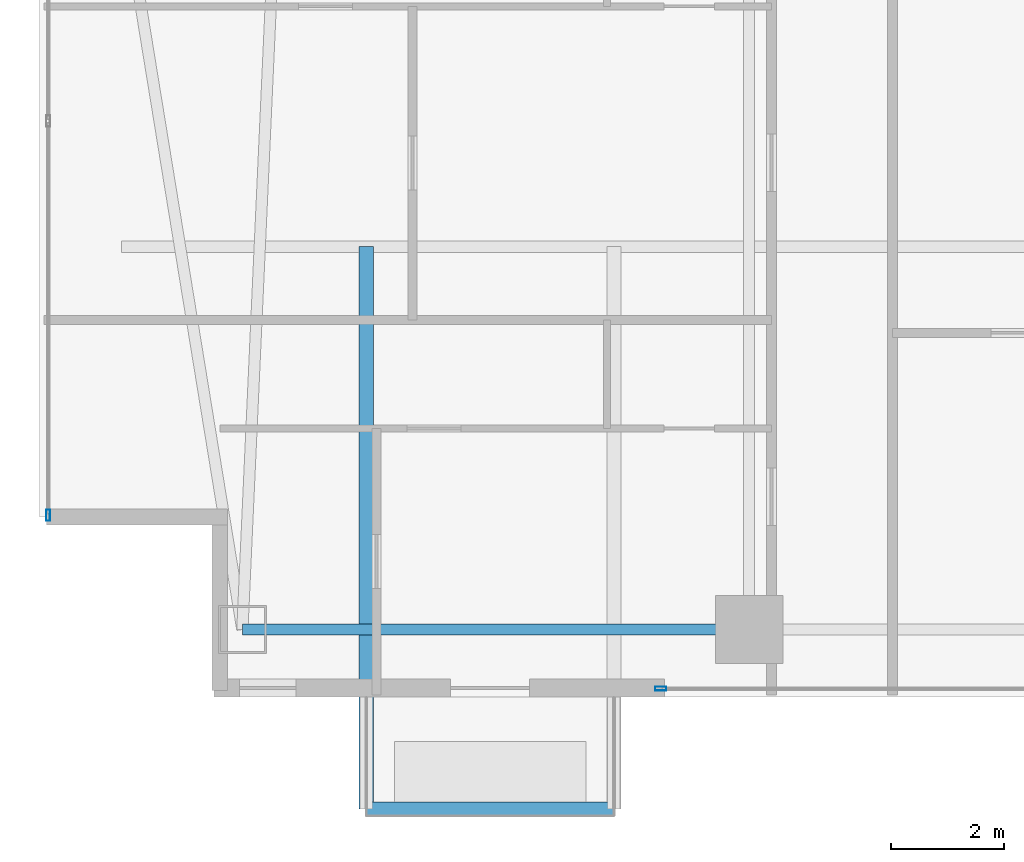
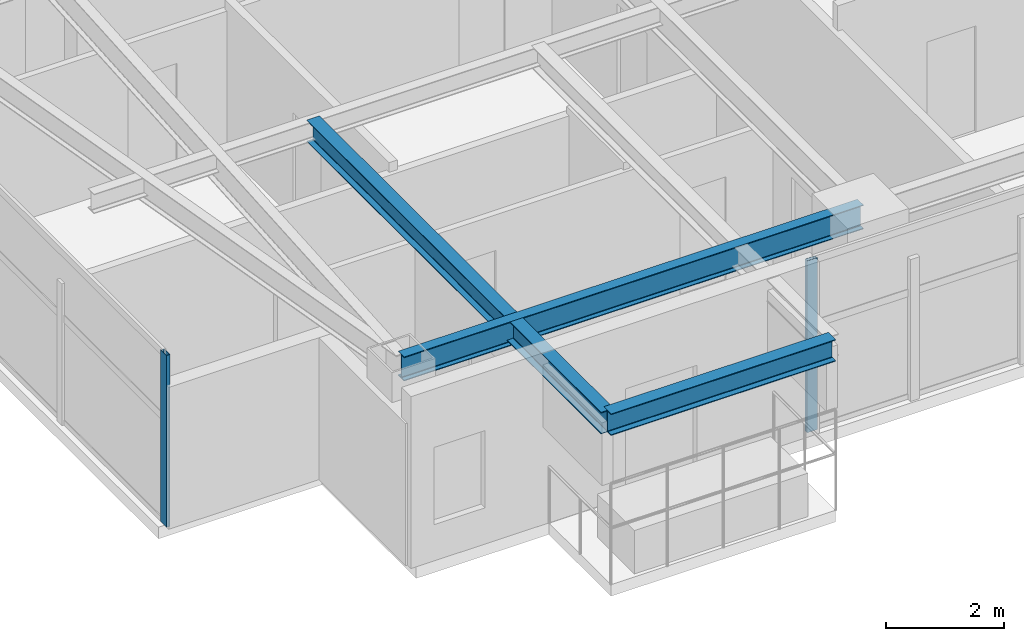
# One storey, part 2 of 28: 3 beams, 2 members, 2 elements without a shape of their own.
"""IFC4 building model written with IfcOpenShell, lengths in metres."""

from ifc_helpers import new_model, si_unit, direction, frame, origin, origin_2d, place, context, subcontext, project, spatial, hollow_rectangle, i_section, extrude, material, layer, layer_set, material_profile, profile_set, type_object, element, aggregate, save


model = new_model("IFC4")

# Units and contexts
model_context = context("Model", 3, precision=1e-05, world=origin(), true_north=direction((0.0, 1.0)))
body_context = subcontext(model_context, "Body", "Model", "MODEL_VIEW")
ifc_project = project(units=[si_unit("LENGTHUNIT", "METRE"), si_unit("AREAUNIT", "SQUARE_METRE"), si_unit("VOLUMEUNIT", "CUBIC_METRE"), si_unit("PLANEANGLEUNIT", "RADIAN"), si_unit("MASSUNIT", "GRAM", prefix="KILO")], contexts=[model_context])

# Site, building, storey
site_placement = place(None, origin())
site = spatial("IfcSite", under=ifc_project, at=site_placement, CompositionType="ELEMENT")
building_placement = place(site_placement, origin())
building = spatial("IfcBuilding", under=site, at=building_placement, Name="Calvorn Quay Hotel", CompositionType="ELEMENT")
storey_placement = place(building_placement, frame((0.0, 0.0, 152.300048828125)))
storey = spatial("IfcBuildingStorey", under=building, at=storey_placement, Name="L37", CompositionType="ELEMENT", Elevation=152.300048828125)

# Beams
ifc_material_1 = material(Name="Steel Q355B", Category="steel")
ifc_material_profile_1 = material_profile(ifc_material_1, i_section(OverallWidth=0.25, OverallDepth=0.449951171875, WebThickness=0.011962890625, FlangeThickness=0.01611328125, FilletRadius=0.01611328125, at=origin_2d()), Name="HN450x250x12x16")
ifc_profile_set_1 = profile_set([ifc_material_profile_1], Name="Steel Q355B")
beam_type_1 = type_object("IfcBeamType", Name="BM-CANT-BALC", PredefinedType="BEAM", material=ifc_profile_set_1)
beam_1_placement = place(storey_placement, frame((5.800048828125, 10.39990234375, 3.31494140625), z_axis=(0.0, -1.0, 0.0), x_axis=(1.0, 0.0, 0.0)))
element("IfcBeam", 1, at=beam_1_placement, inside=storey, type_object=beam_type_1, Name="Cantilever Balcony Beam BCB-L38-2A", PredefinedType="BEAM", context=body_context, shape_type="SweptSolid", body=[
    extrude(i_section(OverallWidth=0.25, OverallDepth=0.449951171875, WebThickness=0.011962890625, FlangeThickness=0.01611328125, FilletRadius=0.01611328125, at=origin_2d()), origin(), (0.0, 0.0, 1.0), 9.989990234375),
])
beam_2_placement = place(storey_placement, frame((5.800048828125, 0.409912109375, 3.31494140625), z_axis=(1.0, 0.0, 0.0), x_axis=(0.0, 1.0, 0.0)))
element("IfcBeam", 2, at=beam_2_placement, inside=storey, type_object=beam_type_1, Name="Beam BCBO-L38-2", PredefinedType="BEAM", context=body_context, shape_type="SweptSolid", body=[
    extrude(i_section(OverallWidth=0.25, OverallDepth=0.449951171875, WebThickness=0.011962890625, FlangeThickness=0.01611328125, FilletRadius=0.01611328125, at=origin_2d()), origin(), (0.0, 0.0, 1.0), 4.39990234375),
])
ifc_material_2 = material(Name="Steel Q355B", Category="steel")
ifc_material_profile_2 = material_profile(ifc_material_2, i_section(OverallWidth=0.199951171875, OverallDepth=0.5, WebThickness=0.010009765625, FlangeThickness=0.01611328125, FilletRadius=0.01611328125, at=origin_2d()), Name="HN500x200x10x16")
ifc_profile_set_2 = profile_set([ifc_material_profile_2], Name="Steel Q355B")
beam_type_2 = type_object("IfcBeamType", Name="BM-SPANDREL-Z1", PredefinedType="SPANDREL", material=ifc_profile_set_2)
beam_3_placement = place(storey_placement, frame((3.60009765625, 3.60009765625, 3.2900390625), z_axis=(1.0, 0.0, 0.0), x_axis=(0.0, 1.0, 0.0)))
element("IfcBeam", 3, at=beam_3_placement, inside=storey, type_object=beam_type_2, Name="Beam BSP-L37-S1", PredefinedType="SPANDREL", context=body_context, shape_type="SweptSolid", body=[
    extrude(i_section(OverallWidth=0.199951171875, OverallDepth=0.5, WebThickness=0.010009765625, FlangeThickness=0.01611328125, FilletRadius=0.01611328125, at=origin_2d()), origin(), (0.0, 0.0, 1.0), 9.0),
])

# Curtain wall, member
ifc_material_3 = material(Name="Pale Anodised Aluminium and Low-E Glass", Category="aluminium")
ifc_layer = layer(ifc_material_3, 0.219970703125)
ifc_layer_set = layer_set([ifc_layer], Name="CW-SYS-Z2")
curtain_wall_type = type_object("IfcCurtainWallType", Name="CW-SYS-Z2", PredefinedType="NOTDEFINED", material=ifc_layer_set)
curtain_wall_1_placement = place(storey_placement, origin())
curtain_wall_1 = element("IfcCurtainWall", 4, at=curtain_wall_1_placement, inside=storey, type_object=curtain_wall_type, Name="Tower West Curtain Wall (L37)", PredefinedType="NOTDEFINED")
ifc_material_4 = material(Name="Pale Anodised Aluminium 6063-T6", Category="aluminium")
ifc_material_profile_3 = material_profile(ifc_material_4, hollow_rectangle(XDim=0.070068359375, YDim=0.199951171875, WallThickness=0.00390625, at=origin_2d()), Name="ALU-M200x70x4")
ifc_profile_set_3 = profile_set([ifc_material_profile_3], Name="Pale Anodised Aluminium 6063-T6")
member_type = type_object("IfcMemberType", Name="CW-SYS-Z2-MUL", PredefinedType="MULLION", material=ifc_profile_set_3)
member_1_placement = place(storey_placement, frame((0.14990234375, 5.6298828125, 0.0), z_axis=(0.0, 0.0, 1.0), x_axis=(-1.0, 0.0, 0.0)))
member_1 = element("IfcMember", 5, at=member_1_placement, type_object=member_type, Name="CW-L37-W mullion 1", PredefinedType="MULLION", context=body_context, shape_type="SweptSolid", body=[
    extrude(hollow_rectangle(XDim=0.070068359375, YDim=0.199951171875, WallThickness=0.00390625, at=origin_2d()), origin(), (0.0, 0.0, 1.0), 3.56005859375),
])
aggregate(curtain_wall_1, [member_1])

curtain_wall_2_placement = place(storey_placement, origin())
curtain_wall_2 = element("IfcCurtainWall", 6, at=curtain_wall_2_placement, inside=storey, type_object=curtain_wall_type, Name="Tower South Waterfront Curtain Wall (L37)", PredefinedType="NOTDEFINED")
member_2_placement = place(storey_placement, frame((11.030029296875, 2.550048828125, 0.0), z_axis=(0.0, 0.0, 1.0), x_axis=(0.0, 1.0, 0.0)))
member_2 = element("IfcMember", 7, at=member_2_placement, type_object=member_type, Name="CW-L37-S mullion 1", PredefinedType="MULLION", context=body_context, shape_type="SweptSolid", body=[
    extrude(hollow_rectangle(XDim=0.070068359375, YDim=0.199951171875, WallThickness=0.00390625, at=origin_2d()), origin(), (0.0, 0.0, 1.0), 3.56005859375),
])
aggregate(curtain_wall_2, [member_2])

save(model, "model.ifc")
